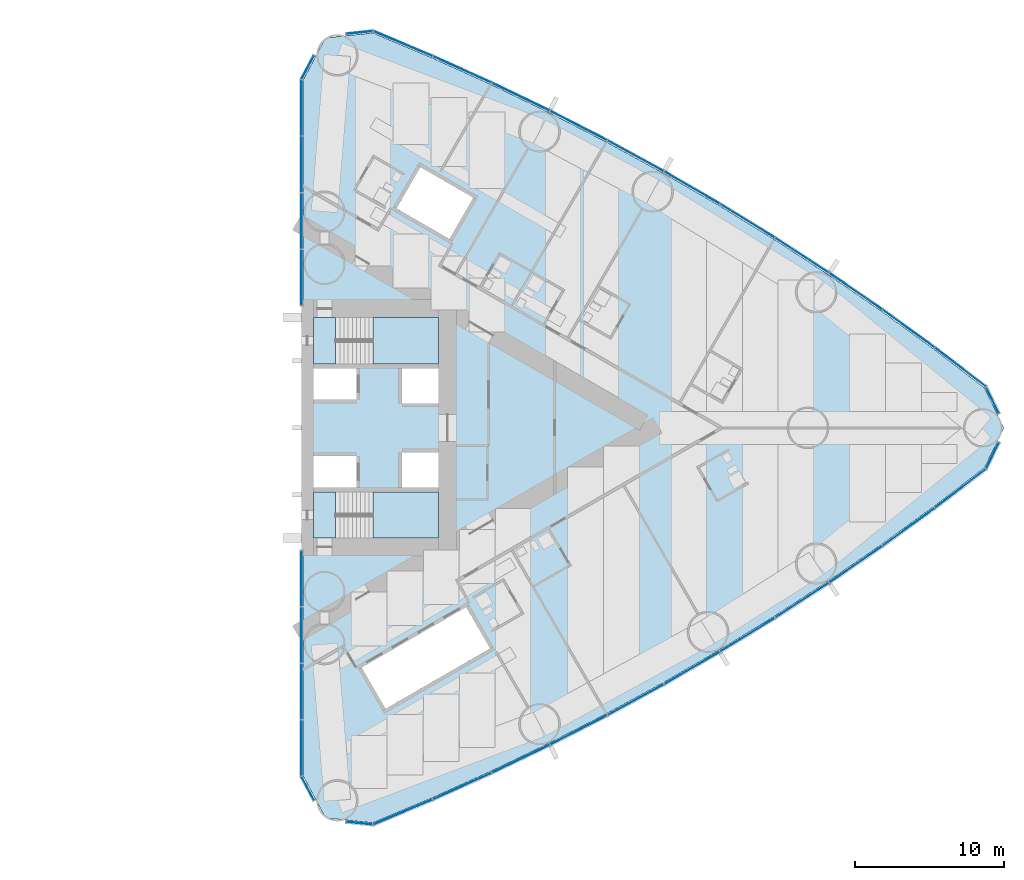
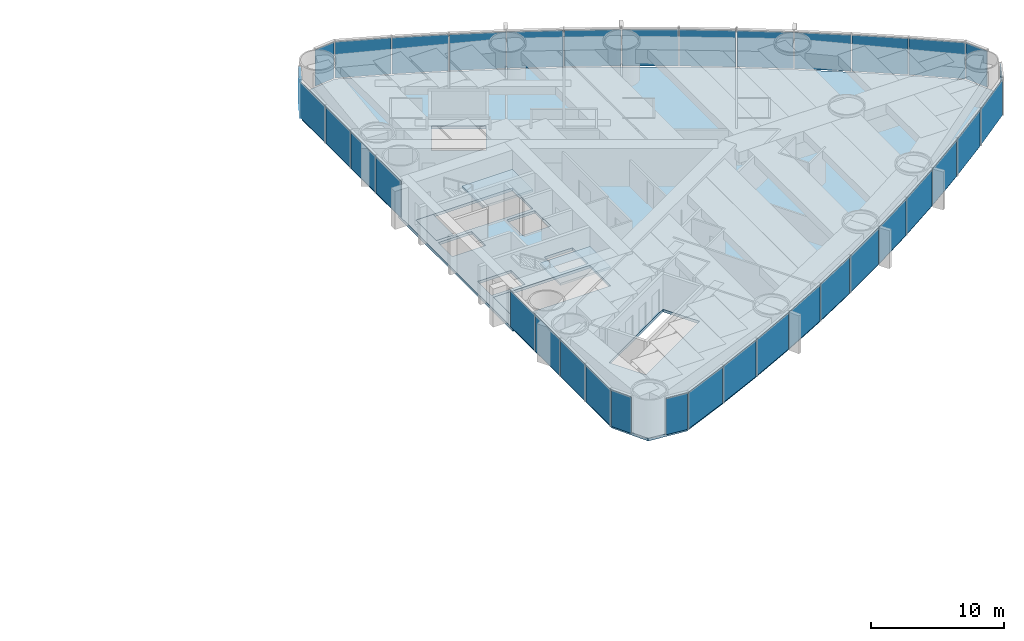
# One storey, part 10 of 18: 36 plates, 5 slabs, 6 elements without a shape of their own.
"""IFC4 building model written with IfcOpenShell, lengths in metres."""

from ifc_helpers import new_model, si_unit, direction, frame, origin, origin_2d, place, context, subcontext, project, spatial, polyline, rectangle, outline, extrude, material, layer, layer_set, type_object, element, aggregate, save


model = new_model("IFC4")

# Units and contexts
model_context = context("Model", 3, precision=1e-05, world=origin(), true_north=direction((0.0, 1.0)))
body_context = subcontext(model_context, "Body", "Model", "MODEL_VIEW")
ifc_project = project(units=[si_unit("LENGTHUNIT", "METRE"), si_unit("AREAUNIT", "SQUARE_METRE"), si_unit("VOLUMEUNIT", "CUBIC_METRE"), si_unit("PLANEANGLEUNIT", "RADIAN"), si_unit("MASSUNIT", "GRAM", prefix="KILO")], contexts=[model_context])

# Site, building, storey
site_placement = place(None, origin())
site = spatial("IfcSite", under=ifc_project, at=site_placement, CompositionType="ELEMENT")
building_placement = place(site_placement, origin())
building = spatial("IfcBuilding", under=site, at=building_placement, Name="Lancet Gate Hotel", CompositionType="ELEMENT")
storey_placement = place(building_placement, frame((0.0, 0.0, 42.5)))
storey = spatial("IfcBuildingStorey", under=building, at=storey_placement, Name="L10", CompositionType="ELEMENT", Elevation=42.5)

# Slab
ifc_material_1 = material(Name="Concrete C50/60", Category="concrete")
ifc_layer_1 = layer(ifc_material_1, 0.25)
ifc_layer_set_1 = layer_set([ifc_layer_1], Name="Floor slab 250")
slab_type_1 = type_object("IfcSlabType", Name="Floor slab 250", PredefinedType="FLOOR", material=ifc_layer_set_1)
slab_1_placement = place(storey_placement, frame((0.0, 0.0, -0.25)))
element("IfcSlab", 1, at=slab_1_placement, inside=storey, type_object=slab_type_1, Name="T2 L10 floor slab", PredefinedType="FLOOR", context=body_context, shape_type="SweptSolid", body=[
    extrude(outline(polyline([(27.5, -8.60009765625), (27.6201171875, -8.60009765625), (27.6201171875, -23.35498046875), (29.12158203125, -26.175537109375), (32.299072265625, -26.5048828125), (36.26708984375, -24.833740234375), (40.2177734375, -23.050048828125), (44.121826171875, -21.16650390625), (47.9765625, -19.18408203125), (51.77978515625, -17.104248046875), (55.528564453125, -14.92822265625), (59.220947265625, -12.657470703125), (62.854248046875, -10.29345703125), (66.42626953125, -7.837890625), (69.934814453125, -5.292236328125), (73.355712890625, -2.67431640625), (74.65576171875, 0.0), (73.355712890625, 2.67431640625), (69.934814453125, 5.292236328125), (66.42626953125, 7.837890625), (62.854248046875, 10.29345703125), (59.220947265625, 12.657470703125), (55.528564453125, 14.92822265625), (51.77978515625, 17.104248046875), (47.9765625, 19.18408203125), (44.121826171875, 21.16650390625), (40.2177734375, 23.050048828125), (36.26708984375, 24.833740234375), (32.299072265625, 26.5048828125), (29.12158203125, 26.175537109375), (27.6201171875, 23.35498046875), (27.6201171875, 8.60009765625), (27.5, 8.60009765625), (27.5, 8.199951171875), (27.5, -8.199951171875), (27.5, -8.60009765625)]), holes=[polyline([(36.699951171875, -7.39990234375), (36.699951171875, -4.300048828125), (28.300048828125, -4.300048828125), (28.300048828125, -7.39990234375), (36.699951171875, -7.39990234375)]), polyline([(28.300048828125, -4.0), (31.199951171875, -4.0), (31.199951171875, -1.89990234375), (28.300048828125, -1.89990234375), (28.300048828125, -4.0)]), polyline([(34.25, -4.0), (36.699951171875, -4.0), (36.699951171875, -1.64990234375), (34.25, -1.64990234375), (34.25, -4.0)]), polyline([(36.699951171875, 1.64990234375), (36.699951171875, 4.0), (34.25, 4.0), (34.25, 1.64990234375), (36.699951171875, 1.64990234375)]), polyline([(28.300048828125, 1.89990234375), (31.199951171875, 1.89990234375), (31.199951171875, 4.0), (28.300048828125, 4.0), (28.300048828125, 1.89990234375)]), polyline([(28.300048828125, 4.300048828125), (36.699951171875, 4.300048828125), (36.699951171875, 7.39990234375), (28.300048828125, 7.39990234375), (28.300048828125, 4.300048828125)]), polyline([(31.549072265625, -16.0810546875), (33.14892578125, -18.85205078125), (40.1640625, -14.802001953125), (38.56396484375, -12.031005859375), (31.549072265625, -16.0810546875)]), polyline([(33.887939453125, 14.73095703125), (37.43798828125, 12.680908203125), (39.0380859375, 15.451904296875), (35.488037109375, 17.501953125), (33.887939453125, 14.73095703125)])]), origin(), (0.0, 0.0, 1.0), 0.25),
])

# Stair, slabs
ifc_material_2 = material(Name="Exit stair 20 risers 1500")
stair_type = type_object("IfcStairType", Name="Exit stair 20 risers 1500", PredefinedType="HALF_TURN_STAIR", material=ifc_material_2)
stair_1_placement = place(storey_placement, origin())
stair_1 = element("IfcStair", 2, at=stair_1_placement, inside=storey, type_object=stair_type, Name="T2 stair 1 L10", PredefinedType="HALF_TURN_STAIR")
ifc_material_3 = material(Name="Concrete C40/50", Category="concrete")
ifc_layer_2 = layer(ifc_material_3, 0.199951171875)
ifc_layer_set_2 = layer_set([ifc_layer_2], Name="Stair landing 200")
slab_type_2 = type_object("IfcSlabType", Name="Stair landing 200", PredefinedType="LANDING", material=ifc_layer_set_2)
slab_2_placement = place(storey_placement, frame((0.0, 0.0, -0.199951171875)))
slab_2 = element("IfcSlab", 3, at=slab_2_placement, type_object=slab_type_2, Name="ST3 landing 1", PredefinedType="LANDING", context=body_context, shape_type="SweptSolid", body=[
    extrude(outline(polyline([(28.300048828125, -7.39990234375), (29.800048828125, -7.39990234375), (29.800048828125, -4.300048828125), (28.300048828125, -4.300048828125), (28.300048828125, -7.39990234375)])), origin(), (0.0, 0.0, 1.0), 0.199951171875),
])
slab_3_placement = place(storey_placement, frame((0.0, 0.0, 1.550048828125)))
slab_3 = element("IfcSlab", 4, at=slab_3_placement, type_object=slab_type_2, Name="ST3 landing 2", PredefinedType="LANDING", context=body_context, shape_type="SweptSolid", body=[
    extrude(outline(polyline([(32.320068359375, -7.39990234375), (36.699951171875, -7.39990234375), (36.699951171875, -4.300048828125), (32.320068359375, -4.300048828125), (32.320068359375, -7.39990234375)])), origin(), (0.0, 0.0, 1.0), 0.199951171875),
])
aggregate(stair_1, [slab_2, slab_3])

stair_2_placement = place(storey_placement, origin())
stair_2 = element("IfcStair", 5, at=stair_2_placement, inside=storey, type_object=stair_type, Name="T2 stair 2 L10", PredefinedType="HALF_TURN_STAIR")
slab_4_placement = place(storey_placement, frame((0.0, 0.0, -0.199951171875)))
slab_4 = element("IfcSlab", 6, at=slab_4_placement, type_object=slab_type_2, Name="ST4 landing 1", PredefinedType="LANDING", context=body_context, shape_type="SweptSolid", body=[
    extrude(outline(polyline([(28.300048828125, 4.300048828125), (29.800048828125, 4.300048828125), (29.800048828125, 7.39990234375), (28.300048828125, 7.39990234375), (28.300048828125, 4.300048828125)])), origin(), (0.0, 0.0, 1.0), 0.199951171875),
])
slab_5_placement = place(storey_placement, frame((0.0, 0.0, 1.550048828125)))
slab_5 = element("IfcSlab", 7, at=slab_5_placement, type_object=slab_type_2, Name="ST4 landing 2", PredefinedType="LANDING", context=body_context, shape_type="SweptSolid", body=[
    extrude(outline(polyline([(32.320068359375, 4.300048828125), (36.699951171875, 4.300048828125), (36.699951171875, 7.39990234375), (32.320068359375, 7.39990234375), (32.320068359375, 4.300048828125)])), origin(), (0.0, 0.0, 1.0), 0.199951171875),
])
aggregate(stair_2, [slab_4, slab_5])

# Curtain wall, plates
ifc_material_4 = material(Name="Aluminium curtain wall", Category="aluminium")
curtain_wall_type = type_object("IfcCurtainWallType", Name="Tower unitised curtain wall", PredefinedType="USERDEFINED", material=ifc_material_4)
curtain_wall_1_placement = place(storey_placement, origin())
curtain_wall_1 = element("IfcCurtainWall", 8, at=curtain_wall_1_placement, inside=storey, type_object=curtain_wall_type, Name="T2 L10 curtain wall 1", ObjectType="UNITISED CURTAIN WALL", PredefinedType="USERDEFINED")
ifc_material_5 = material(Name="Glass double glazed unit 8-16-6", Category="glass")
ifc_layer_3 = layer(ifc_material_5, 0.030029296875)
ifc_layer_set_3 = layer_set([ifc_layer_3], Name="Vision panel double glazed")
plate_type = type_object("IfcPlateType", Name="Vision panel double glazed", PredefinedType="CURTAIN_PANEL", material=ifc_layer_set_3)
plate_1_placement = place(storey_placement, frame((27.5, -10.09814453125, 0.0), z_axis=(0.0, 0.0, 1.0), x_axis=(0.0, -1.0, 0.0)))
plate_1 = element("IfcPlate", 9, at=plate_1_placement, type_object=plate_type, Name="T2 L10 curtain wall 1 panel 1", PredefinedType="CURTAIN_PANEL", context=body_context, shape_type="SweptSolid", body=[
    extrude(rectangle(XDim=3.731201171875, YDim=0.030029296875, at=origin_2d()), origin(), (0.0, 0.0, 1.0), 3.35009765625),
])
plate_2_placement = place(storey_placement, frame((27.5, -13.894287109375, 0.0), z_axis=(0.0, 0.0, 1.0), x_axis=(0.0, -1.0, 0.0)))
plate_2 = element("IfcPlate", 10, at=plate_2_placement, type_object=plate_type, Name="T2 L10 curtain wall 1 panel 2", PredefinedType="CURTAIN_PANEL", context=body_context, shape_type="SweptSolid", body=[
    extrude(rectangle(XDim=3.731201171875, YDim=0.030029296875, at=origin_2d()), origin(), (0.0, 0.0, 1.0), 3.35009765625),
])
plate_3_placement = place(storey_placement, frame((27.5, -17.6904296875, 0.0), z_axis=(0.0, 0.0, 1.0), x_axis=(0.0, -1.0, 0.0)))
plate_3 = element("IfcPlate", 11, at=plate_3_placement, type_object=plate_type, Name="T2 L10 curtain wall 1 panel 3", PredefinedType="CURTAIN_PANEL", context=body_context, shape_type="SweptSolid", body=[
    extrude(rectangle(XDim=3.731201171875, YDim=0.030029296875, at=origin_2d()), origin(), (0.0, 0.0, 1.0), 3.35009765625),
])
plate_4_placement = place(storey_placement, frame((27.5, -21.48681640625, 0.0), z_axis=(0.0, 0.0, 1.0), x_axis=(0.0, -1.0, 0.0)))
plate_4 = element("IfcPlate", 12, at=plate_4_placement, type_object=plate_type, Name="T2 L10 curtain wall 1 panel 4", PredefinedType="CURTAIN_PANEL", context=body_context, shape_type="SweptSolid", body=[
    extrude(rectangle(XDim=3.731201171875, YDim=0.030029296875, at=origin_2d()), origin(), (0.0, 0.0, 1.0), 3.35009765625),
])
plate_5_placement = place(storey_placement, frame((27.933349609375, -24.19873046875, 0.0), z_axis=(0.0, 0.0, 1.0), x_axis=(0.469897827284, -0.882720811987, 0.0)))
plate_5 = element("IfcPlate", 13, at=plate_5_placement, type_object=plate_type, Name="T2 L10 curtain wall 1 panel 5", PredefinedType="CURTAIN_PANEL", context=body_context, shape_type="SweptSolid", body=[
    extrude(rectangle(XDim=1.779052734375, YDim=0.030029296875, at=origin_2d()), origin(), (0.0, 0.0, 1.0), 3.35009765625),
])
aggregate(curtain_wall_1, [plate_1, plate_2, plate_3, plate_4, plate_5])

curtain_wall_2_placement = place(storey_placement, origin())
curtain_wall_2 = element("IfcCurtainWall", 14, at=curtain_wall_2_placement, inside=storey, type_object=curtain_wall_type, Name="T2 L10 curtain wall 2", ObjectType="UNITISED CURTAIN WALL", PredefinedType="USERDEFINED")
plate_6_placement = place(storey_placement, frame((31.400634765625, -26.532470703125, 0.0), z_axis=(0.0, 0.0, 1.0), x_axis=(0.994672262412, -0.10308778001, 0.0)))
plate_6 = element("IfcPlate", 15, at=plate_6_placement, type_object=plate_type, Name="T2 L10 curtain wall 2 panel 1", PredefinedType="CURTAIN_PANEL", context=body_context, shape_type="SweptSolid", body=[
    extrude(rectangle(XDim=1.7783203125, YDim=0.030029296875, at=origin_2d()), origin(), (0.0, 0.0, 1.0), 3.35009765625),
])
plate_7_placement = place(storey_placement, frame((34.316162109375, -25.78564453125, 0.0), z_axis=(0.0, 0.0, 1.0), x_axis=(0.92159330598, 0.38815689917, 0.0)))
plate_7 = element("IfcPlate", 16, at=plate_7_placement, type_object=plate_type, Name="T2 L10 curtain wall 2 panel 2", PredefinedType="CURTAIN_PANEL", context=body_context, shape_type="SweptSolid", body=[
    extrude(rectangle(XDim=4.272705078125, YDim=0.030029296875, at=origin_2d()), origin(), (0.0, 0.0, 1.0), 3.35009765625),
])
plate_8_placement = place(storey_placement, frame((38.291748046875, -24.05126953125, 0.0), z_axis=(0.0, 0.0, 1.0), x_axis=(0.911415640556, 0.41148697446, 0.0)))
plate_8 = element("IfcPlate", 17, at=plate_8_placement, type_object=plate_type, Name="T2 L10 curtain wall 2 panel 3", PredefinedType="CURTAIN_PANEL", context=body_context, shape_type="SweptSolid", body=[
    extrude(rectangle(XDim=4.272705078125, YDim=0.030029296875, at=origin_2d()), origin(), (0.0, 0.0, 1.0), 3.35009765625),
])
plate_9_placement = place(storey_placement, frame((42.221923828125, -22.21630859375, 0.0), z_axis=(0.0, 0.0, 1.0), x_axis=(0.90064748964, 0.434550456686, 0.0)))
plate_9 = element("IfcPlate", 18, at=plate_9_placement, type_object=plate_type, Name="T2 L10 curtain wall 2 panel 4", PredefinedType="CURTAIN_PANEL", context=body_context, shape_type="SweptSolid", body=[
    extrude(rectangle(XDim=4.272705078125, YDim=0.030029296875, at=origin_2d()), origin(), (0.0, 0.0, 1.0), 3.35009765625),
])
plate_10_placement = place(storey_placement, frame((46.10400390625, -20.281982421875, 0.0), z_axis=(0.0, 0.0, 1.0), x_axis=(0.889295829671, 0.457332403541, 0.0)))
plate_10 = element("IfcPlate", 19, at=plate_10_placement, type_object=plate_type, Name="T2 L10 curtain wall 2 panel 5", PredefinedType="CURTAIN_PANEL", context=body_context, shape_type="SweptSolid", body=[
    extrude(rectangle(XDim=4.272705078125, YDim=0.030029296875, at=origin_2d()), origin(), (0.0, 0.0, 1.0), 3.35009765625),
])
plate_11_placement = place(storey_placement, frame((49.935791015625, -18.249267578125, 0.0), z_axis=(0.0, 0.0, 1.0), x_axis=(0.877368015134, 0.47981805512, 0.0)))
plate_11 = element("IfcPlate", 20, at=plate_11_placement, type_object=plate_type, Name="T2 L10 curtain wall 2 panel 6", PredefinedType="CURTAIN_PANEL", context=body_context, shape_type="SweptSolid", body=[
    extrude(rectangle(XDim=4.272705078125, YDim=0.030029296875, at=origin_2d()), origin(), (0.0, 0.0, 1.0), 3.35009765625),
])
plate_12_placement = place(storey_placement, frame((53.71435546875, -16.119873046875, 0.0), z_axis=(0.0, 0.0, 1.0), x_axis=(0.864871773788, 0.501992843479, 0.0)))
plate_12 = element("IfcPlate", 21, at=plate_12_placement, type_object=plate_type, Name="T2 L10 curtain wall 2 panel 7", PredefinedType="CURTAIN_PANEL", context=body_context, shape_type="SweptSolid", body=[
    extrude(rectangle(XDim=4.272705078125, YDim=0.030029296875, at=origin_2d()), origin(), (0.0, 0.0, 1.0), 3.35009765625),
])
plate_13_placement = place(storey_placement, frame((57.437744140625, -13.89501953125, 0.0), z_axis=(0.0, 0.0, 1.0), x_axis=(0.851815201664, 0.523842402077, 0.0)))
plate_13 = element("IfcPlate", 22, at=plate_13_placement, type_object=plate_type, Name="T2 L10 curtain wall 2 panel 8", PredefinedType="CURTAIN_PANEL", context=body_context, shape_type="SweptSolid", body=[
    extrude(rectangle(XDim=4.272705078125, YDim=0.030029296875, at=origin_2d()), origin(), (0.0, 0.0, 1.0), 3.35009765625),
])
plate_14_placement = place(storey_placement, frame((61.10302734375, -11.576171875, 0.0), z_axis=(0.0, 0.0, 1.0), x_axis=(0.838206757819, 0.54535257508, 0.0)))
plate_14 = element("IfcPlate", 23, at=plate_14_placement, type_object=plate_type, Name="T2 L10 curtain wall 2 panel 9", PredefinedType="CURTAIN_PANEL", context=body_context, shape_type="SweptSolid", body=[
    extrude(rectangle(XDim=4.272705078125, YDim=0.030029296875, at=origin_2d()), origin(), (0.0, 0.0, 1.0), 3.35009765625),
])
plate_15_placement = place(storey_placement, frame((64.708251953125, -9.16455078125, 0.0), z_axis=(0.0, 0.0, 1.0), x_axis=(0.824055258853, 0.566509426538, 0.0)))
plate_15 = element("IfcPlate", 24, at=plate_15_placement, type_object=plate_type, Name="T2 L10 curtain wall 2 panel 10", PredefinedType="CURTAIN_PANEL", context=body_context, shape_type="SweptSolid", body=[
    extrude(rectangle(XDim=4.272705078125, YDim=0.030029296875, at=origin_2d()), origin(), (0.0, 0.0, 1.0), 3.35009765625),
])
plate_16_placement = place(storey_placement, frame((68.2509765625, -6.662109375, 0.0), z_axis=(0.0, 0.0, 1.0), x_axis=(0.809369873203, 0.587299249405, 0.0)))
plate_16 = element("IfcPlate", 25, at=plate_16_placement, type_object=plate_type, Name="T2 L10 curtain wall 2 panel 11", PredefinedType="CURTAIN_PANEL", context=body_context, shape_type="SweptSolid", body=[
    extrude(rectangle(XDim=4.272705078125, YDim=0.030029296875, at=origin_2d()), origin(), (0.0, 0.0, 1.0), 3.35009765625),
])
plate_17_placement = place(storey_placement, frame((71.72900390625, -4.0703125, 0.0), z_axis=(0.0, 0.0, 1.0), x_axis=(0.794160115195, 0.607708574428, 0.0)))
plate_17 = element("IfcPlate", 26, at=plate_17_placement, type_object=plate_type, Name="T2 L10 curtain wall 2 panel 12", PredefinedType="CURTAIN_PANEL", context=body_context, shape_type="SweptSolid", body=[
    extrude(rectangle(XDim=4.272705078125, YDim=0.030029296875, at=origin_2d()), origin(), (0.0, 0.0, 1.0), 3.35009765625),
])
plate_18_placement = place(storey_placement, frame((73.88671875, -1.856201171875, 0.0), z_axis=(0.0, 0.0, 1.0), x_axis=(0.437169070119, 0.899379343843, 0.0)))
plate_18 = element("IfcPlate", 27, at=plate_18_placement, type_object=plate_type, Name="T2 L10 curtain wall 2 panel 13", PredefinedType="CURTAIN_PANEL", context=body_context, shape_type="SweptSolid", body=[
    extrude(rectangle(XDim=1.92724609375, YDim=0.030029296875, at=origin_2d()), origin(), (0.0, 0.0, 1.0), 3.35009765625),
])
aggregate(curtain_wall_2, [plate_6, plate_7, plate_8, plate_9, plate_10, plate_11, plate_12, plate_13, plate_14, plate_15, plate_16, plate_17, plate_18])

curtain_wall_3_placement = place(storey_placement, origin())
curtain_wall_3 = element("IfcCurtainWall", 28, at=curtain_wall_3_placement, inside=storey, type_object=curtain_wall_type, Name="T2 L10 curtain wall 3", ObjectType="UNITISED CURTAIN WALL", PredefinedType="USERDEFINED")
plate_19_placement = place(storey_placement, frame((73.88671875, 1.856201171875, 0.0), z_axis=(0.0, 0.0, 1.0), x_axis=(-0.437169070119, 0.899379343843, 0.0)))
plate_19 = element("IfcPlate", 29, at=plate_19_placement, type_object=plate_type, Name="T2 L10 curtain wall 3 panel 1", PredefinedType="CURTAIN_PANEL", context=body_context, shape_type="SweptSolid", body=[
    extrude(rectangle(XDim=1.92724609375, YDim=0.030029296875, at=origin_2d()), origin(), (0.0, 0.0, 1.0), 3.35009765625),
])
plate_20_placement = place(storey_placement, frame((71.72900390625, 4.0703125, 0.0), z_axis=(0.0, 0.0, 1.0), x_axis=(-0.794160115195, 0.607708574428, 0.0)))
plate_20 = element("IfcPlate", 30, at=plate_20_placement, type_object=plate_type, Name="T2 L10 curtain wall 3 panel 2", PredefinedType="CURTAIN_PANEL", context=body_context, shape_type="SweptSolid", body=[
    extrude(rectangle(XDim=4.272705078125, YDim=0.030029296875, at=origin_2d()), origin(), (0.0, 0.0, 1.0), 3.35009765625),
])
plate_21_placement = place(storey_placement, frame((68.2509765625, 6.662109375, 0.0), z_axis=(0.0, 0.0, 1.0), x_axis=(-0.809369873203, 0.587299249405, 0.0)))
plate_21 = element("IfcPlate", 31, at=plate_21_placement, type_object=plate_type, Name="T2 L10 curtain wall 3 panel 3", PredefinedType="CURTAIN_PANEL", context=body_context, shape_type="SweptSolid", body=[
    extrude(rectangle(XDim=4.272705078125, YDim=0.030029296875, at=origin_2d()), origin(), (0.0, 0.0, 1.0), 3.35009765625),
])
plate_22_placement = place(storey_placement, frame((64.708251953125, 9.16455078125, 0.0), z_axis=(0.0, 0.0, 1.0), x_axis=(-0.824055258853, 0.566509426538, 0.0)))
plate_22 = element("IfcPlate", 32, at=plate_22_placement, type_object=plate_type, Name="T2 L10 curtain wall 3 panel 4", PredefinedType="CURTAIN_PANEL", context=body_context, shape_type="SweptSolid", body=[
    extrude(rectangle(XDim=4.272705078125, YDim=0.030029296875, at=origin_2d()), origin(), (0.0, 0.0, 1.0), 3.35009765625),
])
plate_23_placement = place(storey_placement, frame((61.10302734375, 11.576171875, 0.0), z_axis=(0.0, 0.0, 1.0), x_axis=(-0.838206757819, 0.54535257508, 0.0)))
plate_23 = element("IfcPlate", 33, at=plate_23_placement, type_object=plate_type, Name="T2 L10 curtain wall 3 panel 5", PredefinedType="CURTAIN_PANEL", context=body_context, shape_type="SweptSolid", body=[
    extrude(rectangle(XDim=4.272705078125, YDim=0.030029296875, at=origin_2d()), origin(), (0.0, 0.0, 1.0), 3.35009765625),
])
plate_24_placement = place(storey_placement, frame((57.437744140625, 13.89501953125, 0.0), z_axis=(0.0, 0.0, 1.0), x_axis=(-0.851815201664, 0.523842402077, 0.0)))
plate_24 = element("IfcPlate", 34, at=plate_24_placement, type_object=plate_type, Name="T2 L10 curtain wall 3 panel 6", PredefinedType="CURTAIN_PANEL", context=body_context, shape_type="SweptSolid", body=[
    extrude(rectangle(XDim=4.272705078125, YDim=0.030029296875, at=origin_2d()), origin(), (0.0, 0.0, 1.0), 3.35009765625),
])
plate_25_placement = place(storey_placement, frame((53.71435546875, 16.119873046875, 0.0), z_axis=(0.0, 0.0, 1.0), x_axis=(-0.864871773788, 0.501992843479, 0.0)))
plate_25 = element("IfcPlate", 35, at=plate_25_placement, type_object=plate_type, Name="T2 L10 curtain wall 3 panel 7", PredefinedType="CURTAIN_PANEL", context=body_context, shape_type="SweptSolid", body=[
    extrude(rectangle(XDim=4.272705078125, YDim=0.030029296875, at=origin_2d()), origin(), (0.0, 0.0, 1.0), 3.35009765625),
])
plate_26_placement = place(storey_placement, frame((49.935791015625, 18.249267578125, 0.0), z_axis=(0.0, 0.0, 1.0), x_axis=(-0.877368015134, 0.47981805512, 0.0)))
plate_26 = element("IfcPlate", 36, at=plate_26_placement, type_object=plate_type, Name="T2 L10 curtain wall 3 panel 8", PredefinedType="CURTAIN_PANEL", context=body_context, shape_type="SweptSolid", body=[
    extrude(rectangle(XDim=4.272705078125, YDim=0.030029296875, at=origin_2d()), origin(), (0.0, 0.0, 1.0), 3.35009765625),
])
plate_27_placement = place(storey_placement, frame((46.10400390625, 20.281982421875, 0.0), z_axis=(0.0, 0.0, 1.0), x_axis=(-0.889295829671, 0.457332403541, 0.0)))
plate_27 = element("IfcPlate", 37, at=plate_27_placement, type_object=plate_type, Name="T2 L10 curtain wall 3 panel 9", PredefinedType="CURTAIN_PANEL", context=body_context, shape_type="SweptSolid", body=[
    extrude(rectangle(XDim=4.272705078125, YDim=0.030029296875, at=origin_2d()), origin(), (0.0, 0.0, 1.0), 3.35009765625),
])
plate_28_placement = place(storey_placement, frame((42.221923828125, 22.21630859375, 0.0), z_axis=(0.0, 0.0, 1.0), x_axis=(-0.90064748964, 0.434550456686, 0.0)))
plate_28 = element("IfcPlate", 38, at=plate_28_placement, type_object=plate_type, Name="T2 L10 curtain wall 3 panel 10", PredefinedType="CURTAIN_PANEL", context=body_context, shape_type="SweptSolid", body=[
    extrude(rectangle(XDim=4.272705078125, YDim=0.030029296875, at=origin_2d()), origin(), (0.0, 0.0, 1.0), 3.35009765625),
])
plate_29_placement = place(storey_placement, frame((38.291748046875, 24.05126953125, 0.0), z_axis=(0.0, 0.0, 1.0), x_axis=(-0.911415640556, 0.41148697446, 0.0)))
plate_29 = element("IfcPlate", 39, at=plate_29_placement, type_object=plate_type, Name="T2 L10 curtain wall 3 panel 11", PredefinedType="CURTAIN_PANEL", context=body_context, shape_type="SweptSolid", body=[
    extrude(rectangle(XDim=4.272705078125, YDim=0.030029296875, at=origin_2d()), origin(), (0.0, 0.0, 1.0), 3.35009765625),
])
plate_30_placement = place(storey_placement, frame((34.316162109375, 25.78564453125, 0.0), z_axis=(0.0, 0.0, 1.0), x_axis=(-0.92159330598, 0.38815689917, 0.0)))
plate_30 = element("IfcPlate", 40, at=plate_30_placement, type_object=plate_type, Name="T2 L10 curtain wall 3 panel 12", PredefinedType="CURTAIN_PANEL", context=body_context, shape_type="SweptSolid", body=[
    extrude(rectangle(XDim=4.272705078125, YDim=0.030029296875, at=origin_2d()), origin(), (0.0, 0.0, 1.0), 3.35009765625),
])
plate_31_placement = place(storey_placement, frame((31.400634765625, 26.532470703125, 0.0), z_axis=(0.0, 0.0, 1.0), x_axis=(-0.994672262412, -0.10308778001, 0.0)))
plate_31 = element("IfcPlate", 41, at=plate_31_placement, type_object=plate_type, Name="T2 L10 curtain wall 3 panel 13", PredefinedType="CURTAIN_PANEL", context=body_context, shape_type="SweptSolid", body=[
    extrude(rectangle(XDim=1.7783203125, YDim=0.030029296875, at=origin_2d()), origin(), (0.0, 0.0, 1.0), 3.35009765625),
])
aggregate(curtain_wall_3, [plate_19, plate_20, plate_21, plate_22, plate_23, plate_24, plate_25, plate_26, plate_27, plate_28, plate_29, plate_30, plate_31])

curtain_wall_4_placement = place(storey_placement, origin())
curtain_wall_4 = element("IfcCurtainWall", 42, at=curtain_wall_4_placement, inside=storey, type_object=curtain_wall_type, Name="T2 L10 curtain wall 4", ObjectType="UNITISED CURTAIN WALL", PredefinedType="USERDEFINED")
plate_32_placement = place(storey_placement, frame((27.933349609375, 24.19873046875, 0.0), z_axis=(0.0, 0.0, 1.0), x_axis=(-0.469897827284, -0.882720811987, 0.0)))
plate_32 = element("IfcPlate", 43, at=plate_32_placement, type_object=plate_type, Name="T2 L10 curtain wall 4 panel 1", PredefinedType="CURTAIN_PANEL", context=body_context, shape_type="SweptSolid", body=[
    extrude(rectangle(XDim=1.779052734375, YDim=0.030029296875, at=origin_2d()), origin(), (0.0, 0.0, 1.0), 3.35009765625),
])
plate_33_placement = place(storey_placement, frame((27.5, 21.48681640625, 0.0), z_axis=(0.0, 0.0, 1.0), x_axis=(0.0, -1.0, 0.0)))
plate_33 = element("IfcPlate", 44, at=plate_33_placement, type_object=plate_type, Name="T2 L10 curtain wall 4 panel 2", PredefinedType="CURTAIN_PANEL", context=body_context, shape_type="SweptSolid", body=[
    extrude(rectangle(XDim=3.731201171875, YDim=0.030029296875, at=origin_2d()), origin(), (0.0, 0.0, 1.0), 3.35009765625),
])
plate_34_placement = place(storey_placement, frame((27.5, 17.6904296875, 0.0), z_axis=(0.0, 0.0, 1.0), x_axis=(0.0, -1.0, 0.0)))
plate_34 = element("IfcPlate", 45, at=plate_34_placement, type_object=plate_type, Name="T2 L10 curtain wall 4 panel 3", PredefinedType="CURTAIN_PANEL", context=body_context, shape_type="SweptSolid", body=[
    extrude(rectangle(XDim=3.731201171875, YDim=0.030029296875, at=origin_2d()), origin(), (0.0, 0.0, 1.0), 3.35009765625),
])
plate_35_placement = place(storey_placement, frame((27.5, 13.894287109375, 0.0), z_axis=(0.0, 0.0, 1.0), x_axis=(0.0, -1.0, 0.0)))
plate_35 = element("IfcPlate", 46, at=plate_35_placement, type_object=plate_type, Name="T2 L10 curtain wall 4 panel 4", PredefinedType="CURTAIN_PANEL", context=body_context, shape_type="SweptSolid", body=[
    extrude(rectangle(XDim=3.731201171875, YDim=0.030029296875, at=origin_2d()), origin(), (0.0, 0.0, 1.0), 3.35009765625),
])
plate_36_placement = place(storey_placement, frame((27.5, 10.09814453125, 0.0), z_axis=(0.0, 0.0, 1.0), x_axis=(0.0, -1.0, 0.0)))
plate_36 = element("IfcPlate", 47, at=plate_36_placement, type_object=plate_type, Name="T2 L10 curtain wall 4 panel 5", PredefinedType="CURTAIN_PANEL", context=body_context, shape_type="SweptSolid", body=[
    extrude(rectangle(XDim=3.731201171875, YDim=0.030029296875, at=origin_2d()), origin(), (0.0, 0.0, 1.0), 3.35009765625),
])
aggregate(curtain_wall_4, [plate_32, plate_33, plate_34, plate_35, plate_36])

save(model, "model.ifc")
